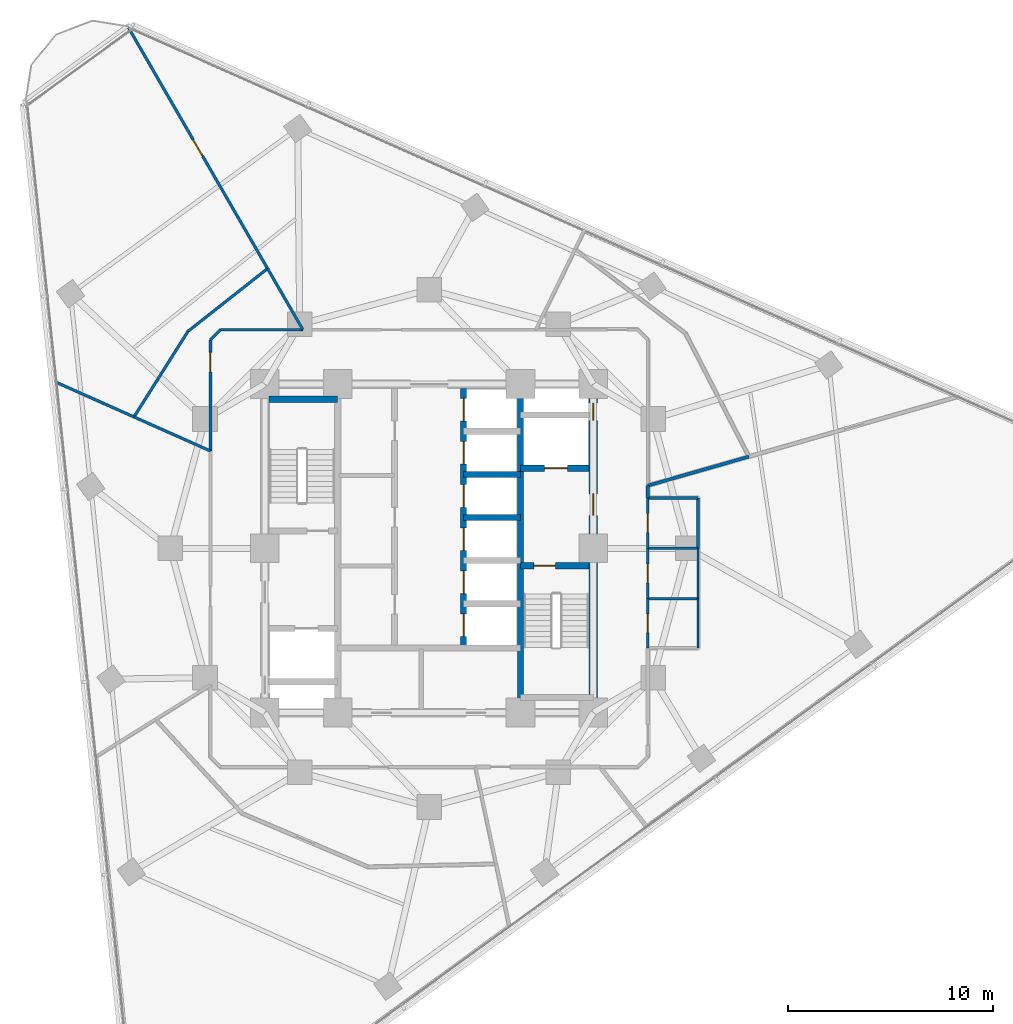
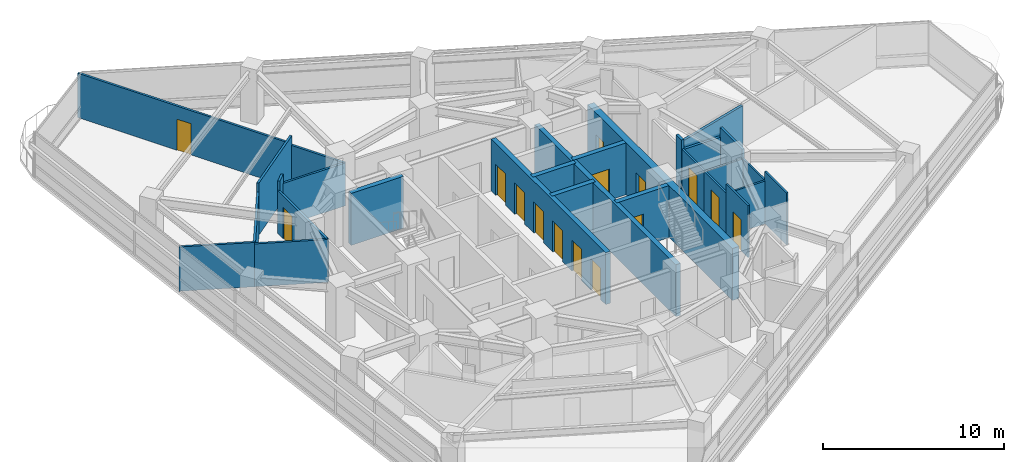
# One storey, part 9 of 14: 28 walls, 15 doors, 15 openings.
"""IFC4 building model written with IfcOpenShell, lengths in metres."""

import ifcopenshell
import ifcopenshell.guid

model = None  # the IFC model being written
_history = None  # IfcOwnerHistory: only IFC2X3 demands one
_inside = {}  # id of a spatial element -> (the spatial element, [elements in it])
_under = {}  # id of a project, library or spatial element -> (it, [spatial elements below it])
_declared = {}  # id of a project -> (the project, [libraries it declares])
_typed = {}  # id of a type object -> (the type object, [elements of that type])
_made_of = {}  # id of a material, layer set ... -> (it, [elements and type objects made of it])


def new_model(schema):
    """Start an empty IFC model of exactly this schema.

    Asked for "IFC4X3", IfcOpenShell would pick the latest addendum, in which some entities
    have other attributes; the version numbers below select the first issue.
    IFC2X3 requires an IfcOwnerHistory on every rooted entity: one is made here for all.
    """
    global model, _history
    if schema == "IFC4X3":
        model = ifcopenshell.file(schema_version=(4, 3, 0, 0))
    else:
        model = ifcopenshell.file(schema=schema)
    _inside.clear()
    _under.clear()
    _declared.clear()
    _typed.clear()
    _made_of.clear()
    _history = None
    if model.schema == "IFC2X3":
        org = make("IfcOrganization", Name="unknown")
        user = make(
            "IfcPersonAndOrganization",
            ThePerson=make("IfcPerson", FamilyName="unknown"),
            TheOrganization=org,
        )
        app = make(
            "IfcApplication",
            ApplicationDeveloper=org,
            Version="unknown",
            ApplicationFullName="unknown",
            ApplicationIdentifier="unknown",
        )
        _history = make(
            "IfcOwnerHistory",
            OwningUser=user,
            OwningApplication=app,
            ChangeAction="ADDED",
            CreationDate=0,
        )
    return model


def make(cls, **values):
    """One entity of the class cls with the attributes given. An attribute that is None is left unset."""
    return model.create_entity(
        cls, **{name: value for name, value in values.items() if value is not None}
    )


def rooted(cls, **values):
    """An entity with a GlobalId (a new one), such as an element, a storey or a relation."""
    return make(cls, GlobalId=ifcopenshell.guid.new(), OwnerHistory=_history, **values)


def si_unit(unit_type, name, prefix=None):
    """IfcSIUnit, for example si_unit("LENGTHUNIT", "METRE", prefix="MILLI")."""
    return make("IfcSIUnit", UnitType=unit_type, Prefix=prefix, Name=name)


def assignment(units):
    """IfcUnitAssignment: the units of a project."""
    return None if units is None else make("IfcUnitAssignment", Units=units)


def point(xyz):
    """IfcCartesianPoint."""
    return None if xyz is None else make("IfcCartesianPoint", Coordinates=xyz)


def direction(xyz):
    """IfcDirection."""
    return None if xyz is None else make("IfcDirection", DirectionRatios=xyz)


def frame(location, z_axis=None, x_axis=None):
    """IfcAxis2Placement3D, a coordinate frame: its origin and axes. An axis left out is left unset."""
    return make(
        "IfcAxis2Placement3D",
        Location=point(location),
        Axis=direction(z_axis),
        RefDirection=direction(x_axis),
    )


def frame_2d(location, x_axis=None):
    """IfcAxis2Placement2D, a coordinate frame in the plane: its origin and x axis."""
    return make(
        "IfcAxis2Placement2D", Location=point(location), RefDirection=direction(x_axis)
    )


def origin():
    """The frame at (0, 0, 0) with its axes left unset."""
    return frame((0.0, 0.0, 0.0))


def place(relative_to, where):
    """IfcLocalPlacement: puts the frame where relative to a parent placement (None: the world)."""
    return make(
        "IfcLocalPlacement", PlacementRelTo=relative_to, RelativePlacement=where
    )


def context(
    kind, dimensions, precision=None, world=None, true_north=None, identifier=None
):
    """IfcGeometricRepresentationContext, for example the 3D "Model" context."""
    return make(
        "IfcGeometricRepresentationContext",
        ContextIdentifier=identifier,
        ContextType=kind,
        CoordinateSpaceDimension=dimensions,
        Precision=precision,
        WorldCoordinateSystem=world,
        TrueNorth=true_north,
    )


def subcontext(parent, identifier, kind, view, scale=None):
    """IfcGeometricRepresentationSubContext, for example "Body" below "Model"."""
    return make(
        "IfcGeometricRepresentationSubContext",
        ContextIdentifier=identifier,
        ContextType=kind,
        ParentContext=parent,
        TargetScale=scale,
        TargetView=view,
    )


def project(units=None, contexts=None):
    """IfcProject with its units and contexts."""
    return rooted(
        "IfcProject",
        Name="project",
        RepresentationContexts=contexts,
        UnitsInContext=assignment(units),
    )


def spatial(cls, under=None, at=None, **own):
    """A site, building, storey or space (cls), placed at a placement, below another one or the project."""
    s = rooted(cls, ObjectPlacement=at, **own)
    if under is not None:
        _under.setdefault(under.id(), (under, []))[1].append(s)
    return s


def profile(cls, at=None, kind="AREA", **sizes):
    """A parametric profile (cls). Its sizes go by their IFC names, for example OverallWidth=200.0."""
    return make(cls, ProfileType=kind, Position=at, **sizes)


def rectangle(**sizes):
    """IfcRectangleProfileDef."""
    return profile("IfcRectangleProfileDef", **sizes)


def extrude(swept, where, along, depth):
    """IfcExtrudedAreaSolid: the profile swept, set in the frame where, extruded along a direction by depth."""
    return make(
        "IfcExtrudedAreaSolid",
        SweptArea=swept,
        Position=where,
        ExtrudedDirection=direction(along),
        Depth=depth,
    )


def shape(context_of_items, identifier, shape_type, items):
    """IfcShapeRepresentation: the items that make up one representation, for example the "Body"."""
    return make(
        "IfcShapeRepresentation",
        ContextOfItems=context_of_items,
        RepresentationIdentifier=identifier,
        RepresentationType=shape_type,
        Items=items,
    )


def material(Name=None, Category=None):
    """IfcMaterial."""
    return make("IfcMaterial", Name=Name, Category=Category)


def layer(
    of_material, thickness, ventilated=None, Name=None, Category=None, Priority=None
):
    """IfcMaterialLayer: one layer of a wall or slab, of a material (None: an air gap)."""
    return make(
        "IfcMaterialLayer",
        Material=of_material,
        LayerThickness=thickness,
        IsVentilated=ventilated,
        Name=Name,
        Category=Category,
        Priority=Priority,
    )


def layer_set(layers, Name=None):
    """IfcMaterialLayerSet."""
    return make("IfcMaterialLayerSet", MaterialLayers=layers, LayerSetName=Name)


def made_of(thing, what):
    """Note that an element or type object is made of a material, layer set ...; save() writes the relation."""
    if what is not None:
        _made_of.setdefault(what.id(), (what, []))[1].append(thing)
    return thing


def type_object(cls, material=None, **own):
    """A type object (cls), such as IfcWallType, which elements share."""
    return made_of(rooted(cls, **own), material)


def element(
    cls,
    number,
    at=None,
    inside=None,
    cuts=None,
    type_object=None,
    material=None,
    context=None,
    identifier="Body",
    shape_type=None,
    held_by="IfcProductDefinitionShape",
    body=None,
    shapes=None,
    **own,
):
    """One element of the class cls, such as IfcWall. Its Tag is "e" and its number.

    at: its placement. inside: the storey or other place that contains it. cuts: it is an
    opening in that element (IfcRelVoidsElement). A single representation is given by context,
    identifier, shape_type and body (its items); several are given by shapes. held_by: the class
    of the entity that holds the representations. save() writes the other relations.
    """
    e = rooted(cls, Tag="e%d" % number, ObjectPlacement=at, **own)
    if body is not None:
        shapes = [shape(context, identifier, shape_type, body)]
    if shapes is not None:
        e.Representation = make(held_by, Representations=shapes)
    if inside is not None:
        _inside.setdefault(inside.id(), (inside, []))[1].append(e)
    if cuts is not None:
        rooted(
            "IfcRelVoidsElement", RelatingBuildingElement=cuts, RelatedOpeningElement=e
        )
    if type_object is not None:
        _typed.setdefault(type_object.id(), (type_object, []))[1].append(e)
    return made_of(e, material)


def fill(opening, filler):
    """IfcRelFillsElement: the door or window that sits in an opening."""
    return rooted(
        "IfcRelFillsElement",
        RelatingOpeningElement=opening,
        RelatedBuildingElement=filler,
    )


def aggregate(whole, parts):
    """IfcRelAggregates: a whole, such as a stair, and the parts it consists of."""
    return rooted("IfcRelAggregates", RelatingObject=whole, RelatedObjects=parts)


def save(model, path):
    """Write the relations noted so far, then the file.

    IfcRelAggregates (storeys below a building ...), IfcRelContainedInSpatialStructure (elements
    in a storey), IfcRelDefinesByType, IfcRelAssociatesMaterial and IfcRelDeclares: one each for
    every whole, place, type object, material and project.
    """
    for whole, parts in _under.values():
        aggregate(whole, parts)
    for where, things in _inside.values():
        rooted(
            "IfcRelContainedInSpatialStructure",
            RelatedElements=things,
            RelatingStructure=where,
        )
    for kind, things in _typed.values():
        rooted("IfcRelDefinesByType", RelatedObjects=things, RelatingType=kind)
    for what, things in _made_of.values():
        rooted("IfcRelAssociatesMaterial", RelatedObjects=things, RelatingMaterial=what)
    for by, libraries in _declared.values():
        rooted("IfcRelDeclares", RelatingContext=by, RelatedDefinitions=libraries)
    model.write(path)


model = new_model("IFC4")

# Units and contexts
model_context = context("Model", 3, precision=1e-05, world=origin(), true_north=direction((0.0, 1.0)))
body_context = subcontext(model_context, "Body", "Model", "MODEL_VIEW")
ifc_project = project(units=[si_unit("LENGTHUNIT", "METRE"), si_unit("AREAUNIT", "SQUARE_METRE"), si_unit("VOLUMEUNIT", "CUBIC_METRE"), si_unit("PLANEANGLEUNIT", "RADIAN"), si_unit("MASSUNIT", "GRAM", prefix="KILO")], contexts=[model_context])

# Site, building, storey
site_placement = place(None, origin())
site = spatial("IfcSite", under=ifc_project, at=site_placement, CompositionType="ELEMENT")
building_placement = place(site_placement, origin())
building = spatial("IfcBuilding", under=site, at=building_placement, Name="Terralouvre Media Tower", CompositionType="ELEMENT")
storey_placement = place(building_placement, frame((0.0, 0.0, 162.0)))
storey = spatial("IfcBuildingStorey", under=building, at=storey_placement, Name="L41", CompositionType="ELEMENT", Elevation=162.0)

# Walls
ifc_material_1 = material(Name="Concrete C50/60", Category="concrete")
ifc_layer_1 = layer(ifc_material_1, 0.300048828125, Name="Core Internal Shaft Wall CW-300")
ifc_layer_set_1 = layer_set([ifc_layer_1], Name="Concrete C50/60")
wall_type_1 = type_object("IfcWallType", Name="Core Internal Shaft Wall CW-300", PredefinedType="SHEAR", material=ifc_layer_set_1)
wall_1_placement = place(storey_placement, frame((4.449951171875, -7.7900390625, 0.0), z_axis=(0.0, 0.0, 1.0), x_axis=(0.0, 1.0, 0.0)))
element("IfcWall", 1, at=wall_1_placement, inside=storey, type_object=wall_type_1, Name="L41 Core Shaft Wall SPE", PredefinedType="SHEAR", context=body_context, shape_type="SweptSolid", body=[
    extrude(rectangle(XDim=15.580078125, YDim=0.300048828125, at=frame_2d((7.7900390625, 0.0))), origin(), (0.0, 0.0, 1.0), 3.5),
])
wall_2_placement = place(storey_placement, frame((-7.7900390625, 7.260009765625, 0.0), z_axis=(0.0, 0.0, 1.0), x_axis=(1.0, 0.0, 0.0)))
element("IfcWall", 2, at=wall_2_placement, inside=storey, type_object=wall_type_1, Name="L41 Core Shaft Wall ST1F", PredefinedType="SHEAR", context=body_context, shape_type="SweptSolid", body=[
    extrude(rectangle(XDim=3.340087890625, YDim=0.300048828125, at=frame_2d((1.669921875, 0.0))), origin(), (0.0, 0.0, 1.0), 3.5),
])

# Wall, opening, door
wall_3_placement = place(storey_placement, frame((4.449951171875, -0.85009765625, 0.0), z_axis=(0.0, 0.0, 1.0), x_axis=(1.0, 0.0, 0.0)))
wall_3 = element("IfcWall", 3, at=wall_3_placement, inside=storey, type_object=wall_type_1, Name="L41 Core Shaft Wall ST2D", PredefinedType="SHEAR", context=body_context, shape_type="SweptSolid", body=[
    extrude(rectangle(XDim=3.340087890625, YDim=0.300048828125, at=frame_2d((1.669921875, 0.0))), origin(), (0.0, 0.0, 1.0), 3.5),
])
opening_1_placement = place(wall_3_placement, frame((0.64990234375, 0.0, 0.0)))
opening_1 = element("IfcOpeningElement", 4, at=opening_1_placement, cuts=wall_3, Name="Opening FD-01-105X215", PredefinedType="OPENING", context=body_context, shape_type="SweptSolid", body=[
    extrude(rectangle(XDim=1.050048828125, YDim=2.14990234375, at=frame_2d((0.52490234375, 1.074951171875))), frame((0.0, 0.159912109375, 0.0), z_axis=(0.0, -1.0, 0.0), x_axis=(1.0, 0.0, 0.0)), (0.0, 0.0, 1.0), 0.320068359375),
])
ifc_material_2 = material(Name="Galvanised steel fire-resisting leaf", Category="steel")
door_type_1 = type_object("IfcDoorType", Name="Stair and Firefighting Lobby Fire Door FD-01 (1050x2150)", OperationType="NOTDEFINED", PredefinedType="DOOR", material=ifc_material_2)
door_1_placement = place(opening_1_placement, origin())
door_1 = element("IfcDoor", 5, at=door_1_placement, inside=storey, type_object=door_type_1, Name="L41 ST-02 Exit Stair Door", OperationType="SINGLE_SWING_RIGHT", OverallHeight=2.14990234375, OverallWidth=1.050048828125, PredefinedType="DOOR", context=body_context, shape_type="SweptSolid", body=[
    extrude(rectangle(XDim=1.050048828125, YDim=2.14990234375, at=frame_2d((0.52490234375, 1.074951171875))), frame((0.0, 0.02490234375, 0.0), z_axis=(0.0, -1.0, 0.0), x_axis=(1.0, 0.0, 0.0)), (0.0, 0.0, 1.0), 0.050048828125),
])
fill(opening_1, door_1)

wall_4_placement = place(storey_placement, frame((4.449951171875, 3.89990234375, 0.0), z_axis=(0.0, 0.0, 1.0), x_axis=(1.0, 0.0, 0.0)))
wall_4 = element("IfcWall", 6, at=wall_4_placement, inside=storey, type_object=wall_type_1, Name="L41 Core Shaft Wall FF2S", PredefinedType="SHEAR", context=body_context, shape_type="SweptSolid", body=[
    extrude(rectangle(XDim=3.340087890625, YDim=0.300048828125, at=frame_2d((1.669921875, 0.0))), origin(), (0.0, 0.0, 1.0), 3.5),
])
opening_2_placement = place(wall_4_placement, frame((1.179931640625, 0.0, 0.0)))
opening_2 = element("IfcOpeningElement", 7, at=opening_2_placement, cuts=wall_4, Name="Opening LD-FF", PredefinedType="OPENING", context=body_context, shape_type="SweptSolid", body=[
    extrude(rectangle(XDim=1.10009765625, YDim=2.10009765625, at=frame_2d((0.550048828125, 1.050048828125))), frame((0.0, 0.159912109375, 0.0), z_axis=(0.0, -1.0, 0.0), x_axis=(1.0, 0.0, 0.0)), (0.0, 0.0, 1.0), 0.320068359375),
])
ifc_material_3 = material(Name="Stainless steel 316 handrail and balustrade", Category="steel")
door_type_2 = type_object("IfcDoorType", Name="Firefighting Lift Sliding Landing Door LD-FF", OperationType="SLIDING_TO_LEFT", PredefinedType="DOOR", material=ifc_material_3)
door_2_placement = place(opening_2_placement, origin())
door_2 = element("IfcDoor", 8, at=door_2_placement, inside=storey, type_object=door_type_2, Name="L41 Firefighting Lift FFL-02 Landing Door", OperationType="SLIDING_TO_LEFT", OverallHeight=2.10009765625, OverallWidth=1.10009765625, PredefinedType="DOOR", context=body_context, shape_type="SweptSolid", body=[
    extrude(rectangle(XDim=1.10009765625, YDim=2.10009765625, at=frame_2d((0.550048828125, 1.050048828125))), frame((0.0, 0.02490234375, 0.0), z_axis=(0.0, -1.0, 0.0), x_axis=(1.0, 0.0, 0.0)), (0.0, 0.0, 1.0), 0.050048828125),
])
fill(opening_2, door_2)

# Wall, openings, doors
wall_5_placement = place(storey_placement, frame((1.679931640625, -4.85009765625, 0.0), z_axis=(0.0, 0.0, 1.0), x_axis=(0.0, 1.0, 0.0)))
wall_5 = element("IfcWall", 9, at=wall_5_placement, inside=storey, type_object=wall_type_1, Name="L41 Core Shaft Wall LBE", PredefinedType="SHEAR", context=body_context, shape_type="SweptSolid", body=[
    extrude(rectangle(XDim=12.64013671875, YDim=0.300048828125, at=frame_2d((6.320068359375, 0.0))), origin(), (0.0, 0.0, 1.0), 3.5),
])
opening_3_placement = place(wall_5_placement, frame((0.550048828125, 0.0, 0.0)))
opening_3 = element("IfcOpeningElement", 10, at=opening_3_placement, cuts=wall_5, Name="Opening LD-PL", PredefinedType="OPENING", context=body_context, shape_type="SweptSolid", body=[
    extrude(rectangle(XDim=1.10009765625, YDim=2.10009765625, at=frame_2d((0.550048828125, 1.050048828125))), frame((0.0, 0.159912109375, 0.0), z_axis=(0.0, -1.0, 0.0), x_axis=(1.0, 0.0, 0.0)), (0.0, 0.0, 1.0), 0.320068359375),
])
opening_4_placement = place(wall_5_placement, frame((2.64990234375, 0.0, 0.0)))
opening_4 = element("IfcOpeningElement", 11, at=opening_4_placement, cuts=wall_5, Name="Opening LD-PL", PredefinedType="OPENING", context=body_context, shape_type="SweptSolid", body=[
    extrude(rectangle(XDim=1.10009765625, YDim=2.10009765625, at=frame_2d((0.550048828125, 1.050048828125))), frame((0.0, 0.159912109375, 0.0), z_axis=(0.0, -1.0, 0.0), x_axis=(1.0, 0.0, 0.0)), (0.0, 0.0, 1.0), 0.320068359375),
])
opening_5_placement = place(wall_5_placement, frame((4.75, 0.0, 0.0)))
opening_5 = element("IfcOpeningElement", 12, at=opening_5_placement, cuts=wall_5, Name="Opening LD-PL", PredefinedType="OPENING", context=body_context, shape_type="SweptSolid", body=[
    extrude(rectangle(XDim=1.10009765625, YDim=2.10009765625, at=frame_2d((0.550048828125, 1.050048828125))), frame((0.0, 0.159912109375, 0.0), z_axis=(0.0, -1.0, 0.0), x_axis=(1.0, 0.0, 0.0)), (0.0, 0.0, 1.0), 0.320068359375),
])
opening_6_placement = place(wall_5_placement, frame((6.85009765625, 0.0, 0.0)))
opening_6 = element("IfcOpeningElement", 13, at=opening_6_placement, cuts=wall_5, Name="Opening LD-PL", PredefinedType="OPENING", context=body_context, shape_type="SweptSolid", body=[
    extrude(rectangle(XDim=1.10009765625, YDim=2.10009765625, at=frame_2d((0.550048828125, 1.050048828125))), frame((0.0, 0.159912109375, 0.0), z_axis=(0.0, -1.0, 0.0), x_axis=(1.0, 0.0, 0.0)), (0.0, 0.0, 1.0), 0.320068359375),
])
opening_7_placement = place(wall_5_placement, frame((8.949951171875, 0.0, 0.0)))
opening_7 = element("IfcOpeningElement", 14, at=opening_7_placement, cuts=wall_5, Name="Opening LD-PL", PredefinedType="OPENING", context=body_context, shape_type="SweptSolid", body=[
    extrude(rectangle(XDim=1.10009765625, YDim=2.10009765625, at=frame_2d((0.550048828125, 1.050048828125))), frame((0.0, 0.159912109375, 0.0), z_axis=(0.0, -1.0, 0.0), x_axis=(1.0, 0.0, 0.0)), (0.0, 0.0, 1.0), 0.320068359375),
])
opening_8_placement = place(wall_5_placement, frame((11.050048828125, 0.0, 0.0)))
opening_8 = element("IfcOpeningElement", 15, at=opening_8_placement, cuts=wall_5, Name="Opening LD-PL", PredefinedType="OPENING", context=body_context, shape_type="SweptSolid", body=[
    extrude(rectangle(XDim=1.10009765625, YDim=2.10009765625, at=frame_2d((0.550048828125, 1.050048828125))), frame((0.0, 0.159912109375, 0.0), z_axis=(0.0, -1.0, 0.0), x_axis=(1.0, 0.0, 0.0)), (0.0, 0.0, 1.0), 0.320068359375),
])
ifc_material_4 = material(Name="Stainless steel 316 handrail and balustrade", Category="steel")
door_type_3 = type_object("IfcDoorType", Name="Passenger Lift Sliding Landing Door LD-PL", OperationType="SLIDING_TO_LEFT", PredefinedType="DOOR", material=ifc_material_4)
door_3_placement = place(opening_3_placement, origin())
door_3 = element("IfcDoor", 16, at=door_3_placement, inside=storey, type_object=door_type_3, Name="L41 High-Rise Lift PL-H1 Landing Door", OperationType="SLIDING_TO_LEFT", OverallHeight=2.10009765625, OverallWidth=1.10009765625, PredefinedType="DOOR", context=body_context, shape_type="SweptSolid", body=[
    extrude(rectangle(XDim=1.10009765625, YDim=2.10009765625, at=frame_2d((0.550048828125, 1.050048828125))), frame((0.0, 0.02490234375, 0.0), z_axis=(0.0, -1.0, 0.0), x_axis=(1.0, 0.0, 0.0)), (0.0, 0.0, 1.0), 0.050048828125),
])
fill(opening_3, door_3)
door_4_placement = place(opening_4_placement, origin())
door_4 = element("IfcDoor", 17, at=door_4_placement, inside=storey, type_object=door_type_3, Name="L41 High-Rise Lift PL-H2 Landing Door", OperationType="SLIDING_TO_LEFT", OverallHeight=2.10009765625, OverallWidth=1.10009765625, PredefinedType="DOOR", context=body_context, shape_type="SweptSolid", body=[
    extrude(rectangle(XDim=1.10009765625, YDim=2.10009765625, at=frame_2d((0.550048828125, 1.050048828125))), frame((0.0, 0.02490234375, 0.0), z_axis=(0.0, -1.0, 0.0), x_axis=(1.0, 0.0, 0.0)), (0.0, 0.0, 1.0), 0.050048828125),
])
fill(opening_4, door_4)
door_5_placement = place(opening_5_placement, origin())
door_5 = element("IfcDoor", 18, at=door_5_placement, inside=storey, type_object=door_type_3, Name="L41 High-Rise Lift PL-H3 Landing Door", OperationType="SLIDING_TO_LEFT", OverallHeight=2.10009765625, OverallWidth=1.10009765625, PredefinedType="DOOR", context=body_context, shape_type="SweptSolid", body=[
    extrude(rectangle(XDim=1.10009765625, YDim=2.10009765625, at=frame_2d((0.550048828125, 1.050048828125))), frame((0.0, 0.02490234375, 0.0), z_axis=(0.0, -1.0, 0.0), x_axis=(1.0, 0.0, 0.0)), (0.0, 0.0, 1.0), 0.050048828125),
])
fill(opening_5, door_5)
door_6_placement = place(opening_6_placement, origin())
door_6 = element("IfcDoor", 19, at=door_6_placement, inside=storey, type_object=door_type_3, Name="L41 Mid-Rise Lift PL-M1 Landing Door", OperationType="SLIDING_TO_LEFT", OverallHeight=2.10009765625, OverallWidth=1.10009765625, PredefinedType="DOOR", context=body_context, shape_type="SweptSolid", body=[
    extrude(rectangle(XDim=1.10009765625, YDim=2.10009765625, at=frame_2d((0.550048828125, 1.050048828125))), frame((0.0, 0.02490234375, 0.0), z_axis=(0.0, -1.0, 0.0), x_axis=(1.0, 0.0, 0.0)), (0.0, 0.0, 1.0), 0.050048828125),
])
fill(opening_6, door_6)
door_7_placement = place(opening_7_placement, origin())
door_7 = element("IfcDoor", 20, at=door_7_placement, inside=storey, type_object=door_type_3, Name="L41 Mid-Rise Lift PL-M2 Landing Door", OperationType="SLIDING_TO_LEFT", OverallHeight=2.10009765625, OverallWidth=1.10009765625, PredefinedType="DOOR", context=body_context, shape_type="SweptSolid", body=[
    extrude(rectangle(XDim=1.10009765625, YDim=2.10009765625, at=frame_2d((0.550048828125, 1.050048828125))), frame((0.0, 0.02490234375, 0.0), z_axis=(0.0, -1.0, 0.0), x_axis=(1.0, 0.0, 0.0)), (0.0, 0.0, 1.0), 0.050048828125),
])
fill(opening_7, door_7)
door_8_placement = place(opening_8_placement, origin())
door_8 = element("IfcDoor", 21, at=door_8_placement, inside=storey, type_object=door_type_3, Name="L41 Mid-Rise Lift PL-M3 Landing Door", OperationType="SLIDING_TO_LEFT", OverallHeight=2.10009765625, OverallWidth=1.10009765625, PredefinedType="DOOR", context=body_context, shape_type="SweptSolid", body=[
    extrude(rectangle(XDim=1.10009765625, YDim=2.10009765625, at=frame_2d((0.550048828125, 1.050048828125))), frame((0.0, 0.02490234375, 0.0), z_axis=(0.0, -1.0, 0.0), x_axis=(1.0, 0.0, 0.0)), (0.0, 0.0, 1.0), 0.050048828125),
])
fill(opening_8, door_8)

# Walls
for number, where, z_axis, x_axis, name in (
    (22, (1.679931640625, 1.5, 0.0), (0.0, 0.0, 1.0), (1.0, 0.0, 0.0), "L41 Core Shaft Wall PLMD0"),
    (23, (1.679931640625, 3.60009765625, 0.0), (0.0, 0.0, 1.0), (1.0, 0.0, 0.0), "L41 Core Shaft Wall PLMD1"),
):
    element("IfcWall", number, at=place(storey_placement, frame(where, z_axis=z_axis, x_axis=x_axis)), inside=storey, type_object=wall_type_1, Name=name, PredefinedType="SHEAR", context=body_context, shape_type="SweptSolid", body=[
        extrude(rectangle(XDim=2.77001953125, YDim=0.300048828125, at=frame_2d((1.385009765625, 0.0))), origin(), (0.0, 0.0, 1.0), 3.5),
    ])

# Wall, openings, doors
ifc_material_5 = material(Name="Concrete C60/75", Category="concrete")
ifc_layer_2 = layer(ifc_material_5, 0.419921875, Name="Core Reinforced Concrete Shear Wall CW-420")
ifc_layer_set_2 = layer_set([ifc_layer_2], Name="Concrete C60/75")
wall_type_2 = type_object("IfcWallType", Name="Core Reinforced Concrete Shear Wall CW-420", PredefinedType="SHEAR", material=ifc_layer_set_2)
wall_6_placement = place(storey_placement, frame((8.0, -8.0, 0.0), z_axis=(0.0, 0.0, 1.0), x_axis=(0.0, 1.0, 0.0)))
wall_6 = element("IfcWall", 24, at=wall_6_placement, inside=storey, type_object=wall_type_2, Name="L41 E Core Shear Wall", PredefinedType="SHEAR", context=body_context, shape_type="SweptSolid", body=[
    extrude(rectangle(XDim=16.0, YDim=0.419921875, at=frame_2d((8.0, 0.0))), origin(), (0.0, 0.0, 1.0), 3.5),
])
opening_9_placement = place(wall_6_placement, frame((9.60009765625, 0.0, 0.0)))
opening_9 = element("IfcOpeningElement", 25, at=opening_9_placement, cuts=wall_6, Name="Opening FD-01-105X215", PredefinedType="OPENING", context=body_context, shape_type="SweptSolid", body=[
    extrude(rectangle(XDim=1.050048828125, YDim=2.14990234375, at=frame_2d((0.52490234375, 1.074951171875))), frame((0.0, 0.219970703125, 0.0), z_axis=(0.0, -1.0, 0.0), x_axis=(1.0, 0.0, 0.0)), (0.0, 0.0, 1.0), 0.43994140625),
])
opening_10_placement = place(wall_6_placement, frame((14.228515625, 0.0, 0.0)))
opening_10 = element("IfcOpeningElement", 26, at=opening_10_placement, cuts=wall_6, Name="Opening TD-R1", PredefinedType="OPENING", context=body_context, shape_type="SweptSolid", body=[
    extrude(rectangle(XDim=0.85009765625, YDim=2.02001953125, at=frame_2d((0.425048828125, 1.010009765625))), frame((0.0, 0.219970703125, 0.0), z_axis=(0.0, -1.0, 0.0), x_axis=(1.0, 0.0, 0.0)), (0.0, 0.0, 1.0), 0.43994140625),
])
ifc_material_6 = material(Name="Galvanised steel fire-resisting leaf", Category="steel")
door_type_4 = type_object("IfcDoorType", Name="Riser Inspection Access Trapdoor TD-R1", OperationType="NOTDEFINED", PredefinedType="TRAPDOOR", material=ifc_material_6)
door_9_placement = place(opening_10_placement, origin())
door_9 = element("IfcDoor", 27, at=door_9_placement, inside=storey, type_object=door_type_4, Name="L41 East Comms Riser Access Trapdoor", OperationType="SINGLE_SWING_RIGHT", OverallHeight=2.02001953125, OverallWidth=0.85009765625, PredefinedType="TRAPDOOR", context=body_context, shape_type="SweptSolid", body=[
    extrude(rectangle(XDim=0.85009765625, YDim=2.02001953125, at=frame_2d((0.425048828125, 1.010009765625))), frame((0.0, 0.02490234375, 0.0), z_axis=(0.0, -1.0, 0.0), x_axis=(1.0, 0.0, 0.0)), (0.0, 0.0, 1.0), 0.050048828125),
])
fill(opening_10, door_9)
door_10_placement = place(opening_9_placement, origin())
door_10 = element("IfcDoor", 28, at=door_10_placement, inside=storey, type_object=door_type_1, Name="L41 East Firefighting Lobby Entry Door", OperationType="SINGLE_SWING_LEFT", OverallHeight=2.14990234375, OverallWidth=1.050048828125, PredefinedType="DOOR", context=body_context, shape_type="SweptSolid", body=[
    extrude(rectangle(XDim=1.050048828125, YDim=2.14990234375, at=frame_2d((0.52490234375, 1.074951171875))), frame((0.0, 0.02490234375, 0.0), z_axis=(0.0, -1.0, 0.0), x_axis=(1.0, 0.0, 0.0)), (0.0, 0.0, 1.0), 0.050048828125),
])
fill(opening_9, door_10)

# Walls
ifc_material_7 = material(Name="Fire-rated gypsum board drywall partition")
ifc_layer_3 = layer(ifc_material_7, 0.135009765625, Name="Newsroom Acoustic Partition PT-135")
ifc_layer_set_3 = layer_set([ifc_layer_3], Name="Fire-rated gypsum board drywall partition")
wall_type_3 = type_object("IfcWallType", Name="Newsroom Acoustic Partition PT-135", PredefinedType="PARTITIONING", material=ifc_layer_set_3)
wall_7_placement = place(storey_placement, frame((-6.14892578125, 10.64990234375, 0.0), z_axis=(0.0, 0.0, 1.0), x_axis=(-1.0, 0.0, 0.0)))
element("IfcWall", 29, at=wall_7_placement, inside=storey, type_object=wall_type_3, Name="L41 Interior Partition 017", PredefinedType="PARTITIONING", context=body_context, shape_type="SweptSolid", body=[
    extrude(rectangle(XDim=4.0009765625, YDim=0.135009765625, at=frame_2d((2.00048828125, 0.0))), origin(), (0.0, 0.0, 1.0), 2.885009765625),
])
wall_8_placement = place(storey_placement, frame((-10.14990234375, 10.64990234375, 0.0), z_axis=(0.0, 0.0, 1.0), x_axis=(-0.707106781187, -0.707106781187, 0.0)))
element("IfcWall", 30, at=wall_8_placement, inside=storey, type_object=wall_type_3, Name="L41 Interior Partition 018", PredefinedType="PARTITIONING", context=body_context, shape_type="SweptSolid", body=[
    extrude(rectangle(XDim=0.70703125, YDim=0.135009765625, at=frame_2d((0.353515625, 0.0))), origin(), (0.0, 0.0, 1.0), 3.5),
])

# Wall, opening, door
wall_9_placement = place(storey_placement, frame((-10.64990234375, 10.14990234375, 0.0), z_axis=(0.0, 0.0, 1.0), x_axis=(0.0, -1.0, 0.0)))
wall_9 = element("IfcWall", 31, at=wall_9_placement, inside=storey, type_object=wall_type_3, Name="L41 Interior Partition 019", PredefinedType="PARTITIONING", context=body_context, shape_type="SweptSolid", body=[
    extrude(rectangle(XDim=5.407958984375, YDim=0.135009765625, at=frame_2d((2.7041015625, 0.0))), origin(), (0.0, 0.0, 1.0), 2.885009765625),
])
opening_11_placement = place(wall_9_placement, frame((0.606689453125, 0.0, 0.0)))
opening_11 = element("IfcOpeningElement", 32, at=opening_11_placement, cuts=wall_9, Name="Opening ID-02-95X210", PredefinedType="OPENING", context=body_context, shape_type="SweptSolid", body=[
    extrude(rectangle(XDim=0.949951171875, YDim=2.10009765625, at=frame_2d((0.47509765625, 1.050048828125))), frame((0.0, 0.077392578125, 0.0), z_axis=(0.0, -1.0, 0.0), x_axis=(1.0, 0.0, 0.0)), (0.0, 0.0, 1.0), 0.155029296875),
])
ifc_material_8 = material(Name="Engineered hardwood acoustic timber leaf", Category="wood")
door_type_5 = type_object("IfcDoorType", Name="Office and Meeting Room Door ID-02 (950x2100)", OperationType="NOTDEFINED", PredefinedType="DOOR", material=ifc_material_8)
door_11_placement = place(opening_11_placement, origin())
door_11 = element("IfcDoor", 33, at=door_11_placement, inside=storey, type_object=door_type_5, Name="L41 Stage Prop Archive Storage 10 Door", OperationType="SINGLE_SWING_LEFT", OverallHeight=2.10009765625, OverallWidth=0.949951171875, PredefinedType="DOOR", context=body_context, shape_type="SweptSolid", body=[
    extrude(rectangle(XDim=0.949951171875, YDim=2.10009765625, at=frame_2d((0.47509765625, 1.050048828125))), frame((0.0, 0.02490234375, 0.0), z_axis=(0.0, -1.0, 0.0), x_axis=(1.0, 0.0, 0.0)), (0.0, 0.0, 1.0), 0.050048828125),
])
fill(opening_11, door_11)

# Walls
wall_10_placement = place(storey_placement, frame((-14.3740234375, 6.39990234375, 0.0), z_axis=(0.0, 0.0, 1.0), x_axis=(-0.913556010805, 0.406712939457, 0.0)))
element("IfcWall", 34, at=wall_10_placement, inside=storey, type_object=wall_type_3, Name="L41 Interior Partition 022", PredefinedType="PARTITIONING", context=body_context, shape_type="SweptSolid", body=[
    extrude(rectangle(XDim=4.17919921875, YDim=0.135009765625, at=frame_2d((2.089599609375, 0.0))), origin(), (0.0, 0.0, 1.0), 2.985107421875),
])
wall_11_placement = place(storey_placement, frame((-10.64990234375, 4.741943359375, 0.0), z_axis=(0.0, 0.0, 1.0), x_axis=(-0.913556992648, 0.406710734042, 0.0)))
element("IfcWall", 35, at=wall_11_placement, inside=storey, type_object=wall_type_3, Name="L41 Interior Partition 023", PredefinedType="PARTITIONING", context=body_context, shape_type="SweptSolid", body=[
    extrude(rectangle(XDim=4.076416015625, YDim=0.135009765625, at=frame_2d((2.0380859375, 0.0))), origin(), (0.0, 0.0, 1.0), 2.885009765625),
])

# Wall, opening, door
wall_12_placement = place(storey_placement, frame((-14.645751953125, 25.36669921875, 0.0), z_axis=(0.0, 0.0, 1.0), x_axis=(0.500047745944, -0.865997835896, 0.0)))
wall_12 = element("IfcWall", 36, at=wall_12_placement, inside=storey, type_object=wall_type_3, Name="L41 Interior Partition 043", PredefinedType="PARTITIONING", context=body_context, shape_type="SweptSolid", body=[
    extrude(rectangle(XDim=13.556396484375, YDim=0.135009765625, at=frame_2d((6.7783203125, 0.0))), origin(), (0.0, 0.0, 1.0), 2.985107421875),
])
opening_12_placement = place(wall_12_placement, frame((6.318115234375, 0.0, 0.0)))
opening_12 = element("IfcOpeningElement", 37, at=opening_12_placement, cuts=wall_12, Name="Opening ID-03-92X210", PredefinedType="OPENING", context=body_context, shape_type="SweptSolid", body=[
    extrude(rectangle(XDim=0.919921875, YDim=2.10009765625, at=frame_2d((0.4599609375, 1.050048828125))), frame((0.0, 0.077392578125, 0.0), z_axis=(0.0, -1.0, 0.0), x_axis=(1.0, 0.0, 0.0)), (0.0, 0.0, 1.0), 0.155029296875),
])
ifc_material_9 = material(Name="Engineered hardwood acoustic timber leaf", Category="wood")
door_type_6 = type_object("IfcDoorType", Name="Accessible Restroom and Suite Door ID-03 (920x2100)", OperationType="NOTDEFINED", PredefinedType="DOOR", material=ifc_material_9)
door_12_placement = place(opening_12_placement, origin())
door_12 = element("IfcDoor", 38, at=door_12_placement, inside=storey, type_object=door_type_6, Name="L41 Wardrobe Costume Closet 9 Door", OperationType="SINGLE_SWING_RIGHT", OverallHeight=2.10009765625, OverallWidth=0.919921875, PredefinedType="DOOR", context=body_context, shape_type="SweptSolid", body=[
    extrude(rectangle(XDim=0.919921875, YDim=2.10009765625, at=frame_2d((0.4599609375, 1.050048828125))), frame((0.0, 0.02490234375, 0.0), z_axis=(0.0, -1.0, 0.0), x_axis=(1.0, 0.0, 0.0)), (0.0, 0.0, 1.0), 0.050048828125),
])
fill(opening_12, door_12)

# Walls
wall_13_placement = place(storey_placement, frame((-7.866943359375, 13.626953125, 0.0), z_axis=(0.0, 0.0, 1.0), x_axis=(0.499829032188, -0.866124089598, 0.0)))
element("IfcWall", 39, at=wall_13_placement, inside=storey, type_object=wall_type_3, Name="L41 Interior Partition 044", PredefinedType="PARTITIONING", context=body_context, shape_type="SweptSolid", body=[
    extrude(rectangle(XDim=3.437255859375, YDim=0.135009765625, at=frame_2d((1.71875, 0.0))), origin(), (0.0, 0.0, 1.0), 2.885009765625),
])
wall_14_placement = place(storey_placement, frame((-14.3740234375, 6.39990234375, 0.0), z_axis=(0.0, 0.0, 1.0), x_axis=(0.53356651363, 0.845758106986, 0.0)))
element("IfcWall", 40, at=wall_14_placement, inside=storey, type_object=wall_type_3, Name="L41 Interior Partition 045", PredefinedType="PARTITIONING", context=body_context, shape_type="SweptSolid", body=[
    extrude(rectangle(XDim=4.93310546875, YDim=0.135009765625, at=frame_2d((2.466552734375, 0.0))), origin(), (0.0, 0.0, 1.0), 2.885009765625),
])
wall_15_placement = place(storey_placement, frame((-11.741943359375, 10.572021484375, 0.0), z_axis=(0.0, 0.0, 1.0), x_axis=(0.785304323173, 0.619109941776, 0.0)))
element("IfcWall", 41, at=wall_15_placement, inside=storey, type_object=wall_type_3, Name="L41 Interior Partition 046", PredefinedType="PARTITIONING", context=body_context, shape_type="SweptSolid", body=[
    extrude(rectangle(XDim=4.934326171875, YDim=0.135009765625, at=frame_2d((2.46728515625, 0.0))), origin(), (0.0, 0.0, 1.0), 3.5),
])

# Wall, opening, door
ifc_material_10 = material(Name="Fire-rated gypsum board drywall partition")
ifc_layer_4 = layer(ifc_material_10, 0.114990234375, Name="Restroom and Pantry Partition PT-115")
ifc_layer_set_4 = layer_set([ifc_layer_4], Name="Fire-rated gypsum board drywall partition")
wall_type_4 = type_object("IfcWallType", Name="Restroom and Pantry Partition PT-115", PredefinedType="PARTITIONING", material=ifc_layer_set_4)
wall_16_placement = place(storey_placement, frame((10.64990234375, -4.85009765625, 0.0), z_axis=(0.0, 0.0, 1.0), x_axis=(0.0, 1.0, 0.0)))
wall_16 = element("IfcWall", 42, at=wall_16_placement, inside=storey, type_object=wall_type_4, Name="L41 Interior Partition 006", PredefinedType="PARTITIONING", context=body_context, shape_type="SweptSolid", body=[
    extrude(rectangle(XDim=2.400146484375, YDim=0.114990234375, at=frame_2d((1.2001953125, 0.0))), origin(), (0.0, 0.0, 1.0), 3.5),
])
opening_13_placement = place(wall_16_placement, frame((0.739990234375, 0.0, 0.0)))
opening_13 = element("IfcOpeningElement", 43, at=opening_13_placement, cuts=wall_16, Name="Opening ID-03-92X210", PredefinedType="OPENING", context=body_context, shape_type="SweptSolid", body=[
    extrude(rectangle(XDim=0.919921875, YDim=2.10009765625, at=frame_2d((0.4599609375, 1.050048828125))), frame((0.0, 0.0673828125, 0.0), z_axis=(0.0, -1.0, 0.0), x_axis=(1.0, 0.0, 0.0)), (0.0, 0.0, 1.0), 0.135009765625),
])
door_13_placement = place(opening_13_placement, origin())
door_13 = element("IfcDoor", 44, at=door_13_placement, inside=storey, type_object=door_type_6, Name="L41 Male Restroom WC Door", OperationType="SINGLE_SWING_LEFT", OverallHeight=2.10009765625, OverallWidth=0.919921875, PredefinedType="DOOR", context=body_context, shape_type="SweptSolid", body=[
    extrude(rectangle(XDim=0.919921875, YDim=2.10009765625, at=frame_2d((0.4599609375, 1.050048828125))), frame((0.0, 0.02490234375, 0.0), z_axis=(0.0, -1.0, 0.0), x_axis=(1.0, 0.0, 0.0)), (0.0, 0.0, 1.0), 0.050048828125),
])
fill(opening_13, door_13)

wall_17_placement = place(storey_placement, frame((10.64990234375, -2.449951171875, 0.0), z_axis=(0.0, 0.0, 1.0), x_axis=(0.0, 1.0, 0.0)))
wall_17 = element("IfcWall", 45, at=wall_17_placement, inside=storey, type_object=wall_type_4, Name="L41 Interior Partition 007", PredefinedType="PARTITIONING", context=body_context, shape_type="SweptSolid", body=[
    extrude(rectangle(XDim=2.449951171875, YDim=0.114990234375, at=frame_2d((1.22509765625, 0.0))), origin(), (0.0, 0.0, 1.0), 2.885009765625),
])
opening_14_placement = place(wall_17_placement, frame((0.764892578125, 0.0, 0.0)))
opening_14 = element("IfcOpeningElement", 46, at=opening_14_placement, cuts=wall_17, Name="Opening ID-03-92X210", PredefinedType="OPENING", context=body_context, shape_type="SweptSolid", body=[
    extrude(rectangle(XDim=0.919921875, YDim=2.10009765625, at=frame_2d((0.4599609375, 1.050048828125))), frame((0.0, 0.0673828125, 0.0), z_axis=(0.0, -1.0, 0.0), x_axis=(1.0, 0.0, 0.0)), (0.0, 0.0, 1.0), 0.135009765625),
])
door_14_placement = place(opening_14_placement, origin())
door_14 = element("IfcDoor", 47, at=door_14_placement, inside=storey, type_object=door_type_6, Name="L41 Female Restroom WC Door", OperationType="SINGLE_SWING_RIGHT", OverallHeight=2.10009765625, OverallWidth=0.919921875, PredefinedType="DOOR", context=body_context, shape_type="SweptSolid", body=[
    extrude(rectangle(XDim=0.919921875, YDim=2.10009765625, at=frame_2d((0.4599609375, 1.050048828125))), frame((0.0, 0.02490234375, 0.0), z_axis=(0.0, -1.0, 0.0), x_axis=(1.0, 0.0, 0.0)), (0.0, 0.0, 1.0), 0.050048828125),
])
fill(opening_14, door_14)

wall_18_placement = place(storey_placement, frame((10.64990234375, 0.0, 0.0), z_axis=(0.0, 0.0, 1.0), x_axis=(0.0, 1.0, 0.0)))
wall_18 = element("IfcWall", 48, at=wall_18_placement, inside=storey, type_object=wall_type_4, Name="L41 Interior Partition 012", PredefinedType="PARTITIONING", context=body_context, shape_type="SweptSolid", body=[
    extrude(rectangle(XDim=2.449951171875, YDim=0.114990234375, at=frame_2d((1.22509765625, 0.0))), origin(), (0.0, 0.0, 1.0), 2.885009765625),
])
opening_15_placement = place(wall_18_placement, frame((0.764892578125, 0.0, 0.0)))
opening_15 = element("IfcOpeningElement", 49, at=opening_15_placement, cuts=wall_18, Name="Opening ID-03-92X210", PredefinedType="OPENING", context=body_context, shape_type="SweptSolid", body=[
    extrude(rectangle(XDim=0.919921875, YDim=2.10009765625, at=frame_2d((0.4599609375, 1.050048828125))), frame((0.0, 0.0673828125, 0.0), z_axis=(0.0, -1.0, 0.0), x_axis=(1.0, 0.0, 0.0)), (0.0, 0.0, 1.0), 0.135009765625),
])
door_15_placement = place(opening_15_placement, origin())
door_15 = element("IfcDoor", 50, at=door_15_placement, inside=storey, type_object=door_type_6, Name="L41 Accessible Unisex WC Door", OperationType="SINGLE_SWING_RIGHT", OverallHeight=2.10009765625, OverallWidth=0.919921875, PredefinedType="DOOR", context=body_context, shape_type="SweptSolid", body=[
    extrude(rectangle(XDim=0.919921875, YDim=2.10009765625, at=frame_2d((0.4599609375, 1.050048828125))), frame((0.0, 0.02490234375, 0.0), z_axis=(0.0, -1.0, 0.0), x_axis=(1.0, 0.0, 0.0)), (0.0, 0.0, 1.0), 0.050048828125),
])
fill(opening_15, door_15)

# Walls
wall_19_placement = place(storey_placement, frame((13.10009765625, -2.449951171875, 0.0), z_axis=(0.0, 0.0, 1.0), x_axis=(-1.0, 0.0, 0.0)))
element("IfcWall", 51, at=wall_19_placement, inside=storey, type_object=wall_type_4, Name="L41 Interior Partition 030", PredefinedType="PARTITIONING", context=body_context, shape_type="SweptSolid", body=[
    extrude(rectangle(XDim=2.4501953125, YDim=0.114990234375, at=frame_2d((1.22509765625, 0.0))), origin(), (0.0, 0.0, 1.0), 2.885009765625),
])
wall_20_placement = place(storey_placement, frame((13.10009765625, -4.85009765625, 0.0), z_axis=(0.0, 0.0, 1.0), x_axis=(0.0, 1.0, 0.0)))
element("IfcWall", 52, at=wall_20_placement, inside=storey, type_object=wall_type_4, Name="L41 Interior Partition 032", PredefinedType="PARTITIONING", context=body_context, shape_type="SweptSolid", body=[
    extrude(rectangle(XDim=2.400146484375, YDim=0.114990234375, at=frame_2d((1.2001953125, 0.0))), origin(), (0.0, 0.0, 1.0), 3.5),
])
wall_21_placement = place(storey_placement, frame((13.10009765625, -2.449951171875, 0.0), z_axis=(0.0, 0.0, 1.0), x_axis=(0.0, 1.0, 0.0)))
element("IfcWall", 53, at=wall_21_placement, inside=storey, type_object=wall_type_4, Name="L41 Interior Partition 033", PredefinedType="PARTITIONING", context=body_context, shape_type="SweptSolid", body=[
    extrude(rectangle(XDim=2.449951171875, YDim=0.114990234375, at=frame_2d((1.22509765625, 0.0))), origin(), (0.0, 0.0, 1.0), 2.885009765625),
])
wall_22_placement = place(storey_placement, frame((13.10009765625, 0.0, 0.0), z_axis=(0.0, 0.0, 1.0), x_axis=(-1.0, 0.0, 0.0)))
element("IfcWall", 54, at=wall_22_placement, inside=storey, type_object=wall_type_4, Name="L41 Interior Partition 034", PredefinedType="PARTITIONING", context=body_context, shape_type="SweptSolid", body=[
    extrude(rectangle(XDim=2.4501953125, YDim=0.114990234375, at=frame_2d((1.22509765625, 0.0))), origin(), (0.0, 0.0, 1.0), 2.885009765625),
])
ifc_material_11 = material(Name="Fire-rated gypsum board drywall partition")
ifc_layer_5 = layer(ifc_material_11, 0.159912109375, Name="Studio Acoustic Rated Partition PT-160")
ifc_layer_set_5 = layer_set([ifc_layer_5], Name="Fire-rated gypsum board drywall partition")
wall_type_5 = type_object("IfcWallType", Name="Studio Acoustic Rated Partition PT-160", PredefinedType="PARTITIONING", material=ifc_layer_set_5)
wall_23_placement = place(storey_placement, frame((10.64990234375, 2.449951171875, 0.0), z_axis=(0.0, 0.0, 1.0), x_axis=(0.0, 1.0, 0.0)))
element("IfcWall", 55, at=wall_23_placement, inside=storey, type_object=wall_type_5, Name="L41 Interior Partition 011", PredefinedType="PARTITIONING", context=body_context, shape_type="SweptSolid", body=[
    extrude(rectangle(XDim=0.60400390625, YDim=0.159912109375, at=frame_2d((0.302001953125, 0.0))), origin(), (0.0, 0.0, 1.0), 3.5),
])
wall_24_placement = place(storey_placement, frame((10.64990234375, 2.449951171875, 0.0), z_axis=(0.0, 0.0, 1.0), x_axis=(1.0, 0.0, 0.0)))
element("IfcWall", 56, at=wall_24_placement, inside=storey, type_object=wall_type_5, Name="L41 Interior Partition 035", PredefinedType="PARTITIONING", context=body_context, shape_type="SweptSolid", body=[
    extrude(rectangle(XDim=2.4501953125, YDim=0.159912109375, at=frame_2d((1.22509765625, 0.0))), origin(), (0.0, 0.0, 1.0), 2.885009765625),
])
wall_25_placement = place(storey_placement, frame((13.10009765625, 2.449951171875, 0.0), z_axis=(0.0, 0.0, 1.0), x_axis=(0.0, -1.0, 0.0)))
element("IfcWall", 57, at=wall_25_placement, inside=storey, type_object=wall_type_5, Name="L41 Interior Partition 036", PredefinedType="PARTITIONING", context=body_context, shape_type="SweptSolid", body=[
    extrude(rectangle(XDim=2.449951171875, YDim=0.159912109375, at=frame_2d((1.22509765625, 0.0))), origin(), (0.0, 0.0, 1.0), 3.5),
])
wall_26_placement = place(storey_placement, frame((15.58203125, 4.468017578125, 0.0), z_axis=(0.0, 0.0, 1.0), x_axis=(-0.961272163105, -0.275600849852, 0.0)))
element("IfcWall", 58, at=wall_26_placement, inside=storey, type_object=wall_type_5, Name="L41 Interior Partition 038", PredefinedType="PARTITIONING", context=body_context, shape_type="SweptSolid", body=[
    extrude(rectangle(XDim=5.130859375, YDim=0.159912109375, at=frame_2d((2.5654296875, 0.0))), origin(), (0.0, 0.0, 1.0), 2.885009765625),
])

save(model, "model.ifc")
